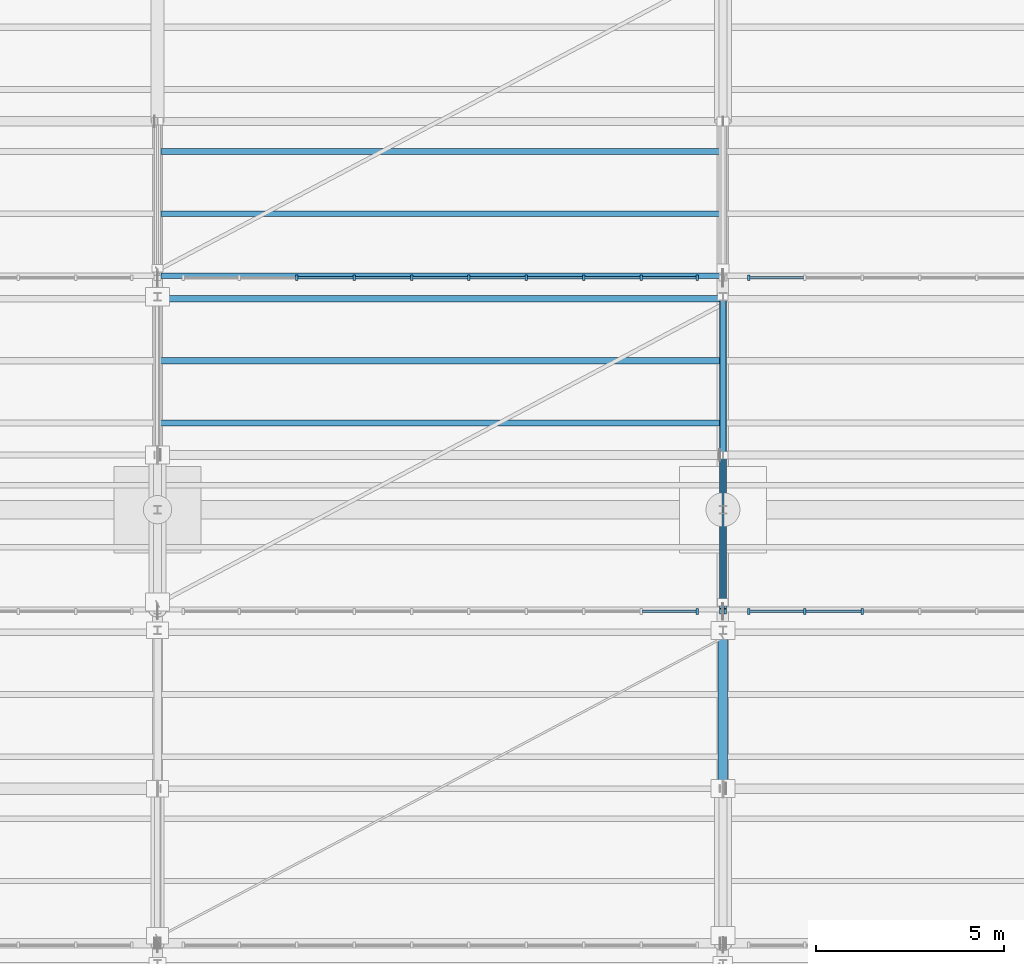
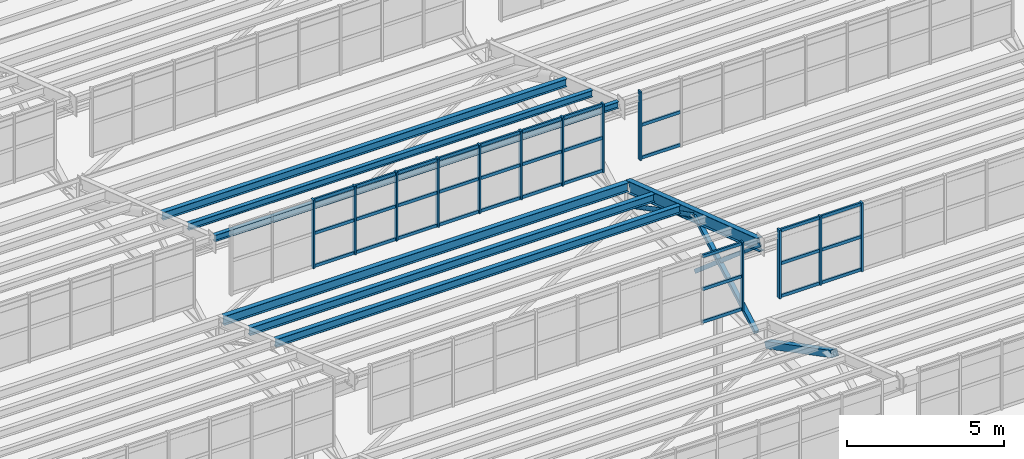
# One storey, part 60 of 285: 49 members, 7 beams, 4 elements without a shape of their own.
"""IFC4 building model written with IfcOpenShell, lengths in metres."""

from ifc_helpers import new_model, si_unit, direction, frame, origin, origin_2d, place, context, subcontext, project, spatial, rectangle, hollow_rectangle, hollow_circle, i_section, extrude, material, material_profile, profile_set, type_object, element, aggregate, save


model = new_model("IFC4")

# Units and contexts
model_context = context("Model", 3, precision=1e-05, world=origin(), true_north=direction((0.0, 1.0)))
body_context = subcontext(model_context, "Body", "Model", "MODEL_VIEW")
ifc_project = project(units=[si_unit("LENGTHUNIT", "METRE"), si_unit("AREAUNIT", "SQUARE_METRE"), si_unit("VOLUMEUNIT", "CUBIC_METRE"), si_unit("PLANEANGLEUNIT", "RADIAN"), si_unit("MASSUNIT", "GRAM", prefix="KILO")], contexts=[model_context])

# Site, building, storey
site_placement = place(None, origin())
site = spatial("IfcSite", under=ifc_project, at=site_placement, CompositionType="ELEMENT")
building_placement = place(site_placement, origin())
building = spatial("IfcBuilding", under=site, at=building_placement, Name="Solanera Park Tramway Depot", CompositionType="ELEMENT")
storey_placement = place(building_placement, origin())
storey = spatial("IfcBuildingStorey", under=building, at=storey_placement, Name="L00", CompositionType="ELEMENT", Elevation=0.0)

# Curtain wall, member
ifc_material_1 = material(Name="Bronze-anodised thermally broken aluminium curtain wall", Category="aluminium")
curtain_wall_type = type_object("IfcCurtainWallType", Name="Sawtooth Clerestory Monitor Curtain Wall", PredefinedType="NOTDEFINED", material=ifc_material_1)
curtain_wall_1_placement = place(storey_placement, origin())
curtain_wall_1 = element("IfcCurtainWall", 1, at=curtain_wall_1_placement, inside=storey, type_object=curtain_wall_type, Name="L00 Sawtooth Clerestory Monitor Curtain Wall #022", PredefinedType="NOTDEFINED")
ifc_material_2 = material(Name="Bronze-anodised structural aluminium 6063-T6", Category="aluminium")
ifc_material_profile_1 = material_profile(ifc_material_2, rectangle(XDim=0.06494140625, YDim=0.14990234375, at=origin_2d()), Name="Curtain Wall Mullion 65x150")
ifc_profile_set_1 = profile_set([ifc_material_profile_1], Name="Bronze-anodised structural aluminium 6063-T6")
member_type_1 = type_object("IfcMemberType", Name="Curtain Wall Mullion 65x150", PredefinedType="MULLION", material=ifc_profile_set_1)
member_1_placement = place(storey_placement, frame((59.3173828125, 82.300048828125, 7.75), z_axis=(0.0, 0.0, 1.0), x_axis=(1.0, 0.0, 0.0)))
member_1 = element("IfcMember", 2, at=member_1_placement, type_object=member_type_1, Name="CW-L00-022 Mullion 10", PredefinedType="MULLION", context=body_context, shape_type="SweptSolid", body=[
    extrude(rectangle(XDim=0.06494140625, YDim=0.14990234375, at=origin_2d()), origin(), (0.0, 0.0, 1.0), 2.6611328125),
])

# Curtain wall, members
curtain_wall_2_placement = place(storey_placement, origin())
curtain_wall_2 = element("IfcCurtainWall", 3, at=curtain_wall_2_placement, inside=storey, type_object=curtain_wall_type, Name="L00 Sawtooth Clerestory Monitor Curtain Wall #023", PredefinedType="NOTDEFINED")
member_2_placement = place(storey_placement, frame((60.6826171875, 82.300048828125, 7.75), z_axis=(0.0, 0.0, 1.0), x_axis=(1.0, 0.0, 0.0)))
member_2 = element("IfcMember", 4, at=member_2_placement, type_object=member_type_1, Name="CW-L00-023 Mullion 1", PredefinedType="MULLION", context=body_context, shape_type="SweptSolid", body=[
    extrude(rectangle(XDim=0.06494140625, YDim=0.14990234375, at=origin_2d()), origin(), (0.0, 0.0, 1.0), 2.6611328125),
])
member_3_placement = place(storey_placement, frame((62.172119140625, 82.300048828125, 7.75), z_axis=(0.0, 0.0, 1.0), x_axis=(1.0, 0.0, 0.0)))
member_3 = element("IfcMember", 5, at=member_3_placement, type_object=member_type_1, Name="CW-L00-023 Mullion 2", PredefinedType="MULLION", context=body_context, shape_type="SweptSolid", body=[
    extrude(rectangle(XDim=0.06494140625, YDim=0.14990234375, at=origin_2d()), origin(), (0.0, 0.0, 1.0), 2.6611328125),
])
member_4_placement = place(storey_placement, frame((63.6943359375, 82.300048828125, 7.75), z_axis=(0.0, 0.0, 1.0), x_axis=(1.0, 0.0, 0.0)))
member_4 = element("IfcMember", 6, at=member_4_placement, type_object=member_type_1, Name="CW-L00-023 Mullion 3", PredefinedType="MULLION", context=body_context, shape_type="SweptSolid", body=[
    extrude(rectangle(XDim=0.06494140625, YDim=0.14990234375, at=origin_2d()), origin(), (0.0, 0.0, 1.0), 2.6611328125),
])

curtain_wall_3_placement = place(storey_placement, origin())
curtain_wall_3 = element("IfcCurtainWall", 7, at=curtain_wall_3_placement, inside=storey, type_object=curtain_wall_type, Name="L00 Sawtooth Clerestory Monitor Curtain Wall #030", PredefinedType="NOTDEFINED")
member_5_placement = place(storey_placement, frame((48.6943359375, 91.14990234375, 7.75), z_axis=(0.0, 0.0, 1.0), x_axis=(1.0, 0.0, 0.0)))
member_5 = element("IfcMember", 8, at=member_5_placement, type_object=member_type_1, Name="CW-L00-030 Mullion 3", PredefinedType="MULLION", context=body_context, shape_type="SweptSolid", body=[
    extrude(rectangle(XDim=0.06494140625, YDim=0.14990234375, at=origin_2d()), origin(), (0.0, 0.0, 1.0), 2.6611328125),
])
member_6_placement = place(storey_placement, frame((50.216796875, 91.14990234375, 7.75), z_axis=(0.0, 0.0, 1.0), x_axis=(1.0, 0.0, 0.0)))
member_6 = element("IfcMember", 9, at=member_6_placement, type_object=member_type_1, Name="CW-L00-030 Mullion 4", PredefinedType="MULLION", context=body_context, shape_type="SweptSolid", body=[
    extrude(rectangle(XDim=0.06494140625, YDim=0.14990234375, at=origin_2d()), origin(), (0.0, 0.0, 1.0), 2.6611328125),
])
member_7_placement = place(storey_placement, frame((51.739013671875, 91.14990234375, 7.75), z_axis=(0.0, 0.0, 1.0), x_axis=(1.0, 0.0, 0.0)))
member_7 = element("IfcMember", 10, at=member_7_placement, type_object=member_type_1, Name="CW-L00-030 Mullion 5", PredefinedType="MULLION", context=body_context, shape_type="SweptSolid", body=[
    extrude(rectangle(XDim=0.06494140625, YDim=0.14990234375, at=origin_2d()), origin(), (0.0, 0.0, 1.0), 2.6611328125),
])
member_8_placement = place(storey_placement, frame((53.260986328125, 91.14990234375, 7.75), z_axis=(0.0, 0.0, 1.0), x_axis=(1.0, 0.0, 0.0)))
member_8 = element("IfcMember", 11, at=member_8_placement, type_object=member_type_1, Name="CW-L00-030 Mullion 6", PredefinedType="MULLION", context=body_context, shape_type="SweptSolid", body=[
    extrude(rectangle(XDim=0.06494140625, YDim=0.14990234375, at=origin_2d()), origin(), (0.0, 0.0, 1.0), 2.6611328125),
])
member_9_placement = place(storey_placement, frame((54.783203125, 91.14990234375, 7.75), z_axis=(0.0, 0.0, 1.0), x_axis=(1.0, 0.0, 0.0)))
member_9 = element("IfcMember", 12, at=member_9_placement, type_object=member_type_1, Name="CW-L00-030 Mullion 7", PredefinedType="MULLION", context=body_context, shape_type="SweptSolid", body=[
    extrude(rectangle(XDim=0.06494140625, YDim=0.14990234375, at=origin_2d()), origin(), (0.0, 0.0, 1.0), 2.6611328125),
])
member_10_placement = place(storey_placement, frame((56.3056640625, 91.14990234375, 7.75), z_axis=(0.0, 0.0, 1.0), x_axis=(1.0, 0.0, 0.0)))
member_10 = element("IfcMember", 13, at=member_10_placement, type_object=member_type_1, Name="CW-L00-030 Mullion 8", PredefinedType="MULLION", context=body_context, shape_type="SweptSolid", body=[
    extrude(rectangle(XDim=0.06494140625, YDim=0.14990234375, at=origin_2d()), origin(), (0.0, 0.0, 1.0), 2.6611328125),
])
member_11_placement = place(storey_placement, frame((57.827880859375, 91.14990234375, 7.75), z_axis=(0.0, 0.0, 1.0), x_axis=(1.0, 0.0, 0.0)))
member_11 = element("IfcMember", 14, at=member_11_placement, type_object=member_type_1, Name="CW-L00-030 Mullion 9", PredefinedType="MULLION", context=body_context, shape_type="SweptSolid", body=[
    extrude(rectangle(XDim=0.06494140625, YDim=0.14990234375, at=origin_2d()), origin(), (0.0, 0.0, 1.0), 2.6611328125),
])
member_12_placement = place(storey_placement, frame((59.3173828125, 91.14990234375, 7.75), z_axis=(0.0, 0.0, 1.0), x_axis=(1.0, 0.0, 0.0)))
member_12 = element("IfcMember", 15, at=member_12_placement, type_object=member_type_1, Name="CW-L00-030 Mullion 10", PredefinedType="MULLION", context=body_context, shape_type="SweptSolid", body=[
    extrude(rectangle(XDim=0.06494140625, YDim=0.14990234375, at=origin_2d()), origin(), (0.0, 0.0, 1.0), 2.6611328125),
])

# Curtain wall, member
curtain_wall_4_placement = place(storey_placement, origin())
curtain_wall_4 = element("IfcCurtainWall", 16, at=curtain_wall_4_placement, inside=storey, type_object=curtain_wall_type, Name="L00 Sawtooth Clerestory Monitor Curtain Wall #031", PredefinedType="NOTDEFINED")
member_13_placement = place(storey_placement, frame((60.6826171875, 91.14990234375, 7.75), z_axis=(0.0, 0.0, 1.0), x_axis=(1.0, 0.0, 0.0)))
member_13 = element("IfcMember", 17, at=member_13_placement, type_object=member_type_1, Name="CW-L00-031 Mullion 1", PredefinedType="MULLION", context=body_context, shape_type="SweptSolid", body=[
    extrude(rectangle(XDim=0.06494140625, YDim=0.14990234375, at=origin_2d()), origin(), (0.0, 0.0, 1.0), 2.6611328125),
])

# Member
ifc_material_3 = material(Name="Bronze-anodised structural aluminium 6063-T6", Category="aluminium")
ifc_material_profile_2 = material_profile(ifc_material_3, rectangle(XDim=0.06494140625, YDim=0.1201171875, at=origin_2d()), Name="Curtain Wall Transom 65x120")
ifc_profile_set_2 = profile_set([ifc_material_profile_2], Name="Bronze-anodised structural aluminium 6063-T6")
member_type_2 = type_object("IfcMemberType", Name="Curtain Wall Transom 65x120", PredefinedType="USERDEFINED", material=ifc_profile_set_2)
member_14_placement = place(storey_placement, frame((57.855712890625, 82.300048828125, 7.81005859375), z_axis=(1.0, 0.0, 0.0), x_axis=(0.0, 1.0, 0.0)))
member_14 = element("IfcMember", 18, at=member_14_placement, type_object=member_type_2, Name="CW-L00-022 Transom R1.C9", ObjectType="TRANSOM", PredefinedType="USERDEFINED", context=body_context, shape_type="SweptSolid", body=[
    extrude(rectangle(XDim=0.06494140625, YDim=0.1201171875, at=origin_2d()), origin(), (0.0, 0.0, 1.0), 1.433837890625),
])

member_15_placement = place(storey_placement, frame((57.855712890625, 82.300048828125, 9.08056640625), z_axis=(1.0, 0.0, 0.0), x_axis=(0.0, 1.0, 0.0)))
member_15 = element("IfcMember", 19, at=member_15_placement, type_object=member_type_2, Name="CW-L00-022 Transom R2.C9", ObjectType="TRANSOM", PredefinedType="USERDEFINED", context=body_context, shape_type="SweptSolid", body=[
    extrude(rectangle(XDim=0.06494140625, YDim=0.1201171875, at=origin_2d()), origin(), (0.0, 0.0, 1.0), 1.433837890625),
])

member_16_placement = place(storey_placement, frame((57.855712890625, 82.300048828125, 10.351318359375), z_axis=(1.0, 0.0, 0.0), x_axis=(0.0, 1.0, 0.0)))
member_16 = element("IfcMember", 20, at=member_16_placement, type_object=member_type_2, Name="CW-L00-022 Transom R3.C9", ObjectType="TRANSOM", PredefinedType="USERDEFINED", context=body_context, shape_type="SweptSolid", body=[
    extrude(rectangle(XDim=0.06494140625, YDim=0.1201171875, at=origin_2d()), origin(), (0.0, 0.0, 1.0), 1.433837890625),
])

aggregate(curtain_wall_1, [member_1, member_14, member_15, member_16])

member_17_placement = place(storey_placement, frame((60.71044921875, 82.300048828125, 7.81005859375), z_axis=(1.0, 0.0, 0.0), x_axis=(0.0, 1.0, 0.0)))
member_17 = element("IfcMember", 21, at=member_17_placement, type_object=member_type_2, Name="CW-L00-023 Transom R1.C1", ObjectType="TRANSOM", PredefinedType="USERDEFINED", context=body_context, shape_type="SweptSolid", body=[
    extrude(rectangle(XDim=0.06494140625, YDim=0.1201171875, at=origin_2d()), origin(), (0.0, 0.0, 1.0), 1.433837890625),
])

member_18_placement = place(storey_placement, frame((62.2001953125, 82.300048828125, 7.81005859375), z_axis=(1.0, 0.0, 0.0), x_axis=(0.0, 1.0, 0.0)))
member_18 = element("IfcMember", 22, at=member_18_placement, type_object=member_type_2, Name="CW-L00-023 Transom R1.C2", ObjectType="TRANSOM", PredefinedType="USERDEFINED", context=body_context, shape_type="SweptSolid", body=[
    extrude(rectangle(XDim=0.06494140625, YDim=0.1201171875, at=origin_2d()), origin(), (0.0, 0.0, 1.0), 1.46630859375),
])

member_19_placement = place(storey_placement, frame((60.71044921875, 82.300048828125, 9.08056640625), z_axis=(1.0, 0.0, 0.0), x_axis=(0.0, 1.0, 0.0)))
member_19 = element("IfcMember", 23, at=member_19_placement, type_object=member_type_2, Name="CW-L00-023 Transom R2.C1", ObjectType="TRANSOM", PredefinedType="USERDEFINED", context=body_context, shape_type="SweptSolid", body=[
    extrude(rectangle(XDim=0.06494140625, YDim=0.1201171875, at=origin_2d()), origin(), (0.0, 0.0, 1.0), 1.433837890625),
])

member_20_placement = place(storey_placement, frame((62.2001953125, 82.300048828125, 9.08056640625), z_axis=(1.0, 0.0, 0.0), x_axis=(0.0, 1.0, 0.0)))
member_20 = element("IfcMember", 24, at=member_20_placement, type_object=member_type_2, Name="CW-L00-023 Transom R2.C2", ObjectType="TRANSOM", PredefinedType="USERDEFINED", context=body_context, shape_type="SweptSolid", body=[
    extrude(rectangle(XDim=0.06494140625, YDim=0.1201171875, at=origin_2d()), origin(), (0.0, 0.0, 1.0), 1.46630859375),
])

member_21_placement = place(storey_placement, frame((60.71044921875, 82.300048828125, 10.351318359375), z_axis=(1.0, 0.0, 0.0), x_axis=(0.0, 1.0, 0.0)))
member_21 = element("IfcMember", 25, at=member_21_placement, type_object=member_type_2, Name="CW-L00-023 Transom R3.C1", ObjectType="TRANSOM", PredefinedType="USERDEFINED", context=body_context, shape_type="SweptSolid", body=[
    extrude(rectangle(XDim=0.06494140625, YDim=0.1201171875, at=origin_2d()), origin(), (0.0, 0.0, 1.0), 1.433837890625),
])

member_22_placement = place(storey_placement, frame((62.2001953125, 82.300048828125, 10.351318359375), z_axis=(1.0, 0.0, 0.0), x_axis=(0.0, 1.0, 0.0)))
member_22 = element("IfcMember", 26, at=member_22_placement, type_object=member_type_2, Name="CW-L00-023 Transom R3.C2", ObjectType="TRANSOM", PredefinedType="USERDEFINED", context=body_context, shape_type="SweptSolid", body=[
    extrude(rectangle(XDim=0.06494140625, YDim=0.1201171875, at=origin_2d()), origin(), (0.0, 0.0, 1.0), 1.46630859375),
])

aggregate(curtain_wall_2, [member_2, member_3, member_4, member_17, member_18, member_19, member_20, member_21, member_22])

member_23_placement = place(storey_placement, frame((48.722412109375, 91.14990234375, 7.81005859375), z_axis=(1.0, 0.0, 0.0), x_axis=(0.0, 1.0, 0.0)))
member_23 = element("IfcMember", 27, at=member_23_placement, type_object=member_type_2, Name="CW-L00-030 Transom R1.C3", ObjectType="TRANSOM", PredefinedType="USERDEFINED", context=body_context, shape_type="SweptSolid", body=[
    extrude(rectangle(XDim=0.06494140625, YDim=0.1201171875, at=origin_2d()), origin(), (0.0, 0.0, 1.0), 1.46630859375),
])

member_24_placement = place(storey_placement, frame((50.24462890625, 91.14990234375, 7.81005859375), z_axis=(1.0, 0.0, 0.0), x_axis=(0.0, 1.0, 0.0)))
member_24 = element("IfcMember", 28, at=member_24_placement, type_object=member_type_2, Name="CW-L00-030 Transom R1.C4", ObjectType="TRANSOM", PredefinedType="USERDEFINED", context=body_context, shape_type="SweptSolid", body=[
    extrude(rectangle(XDim=0.06494140625, YDim=0.1201171875, at=origin_2d()), origin(), (0.0, 0.0, 1.0), 1.46630859375),
])

member_25_placement = place(storey_placement, frame((51.766845703125, 91.14990234375, 7.81005859375), z_axis=(1.0, 0.0, 0.0), x_axis=(0.0, 1.0, 0.0)))
member_25 = element("IfcMember", 29, at=member_25_placement, type_object=member_type_2, Name="CW-L00-030 Transom R1.C5", ObjectType="TRANSOM", PredefinedType="USERDEFINED", context=body_context, shape_type="SweptSolid", body=[
    extrude(rectangle(XDim=0.06494140625, YDim=0.1201171875, at=origin_2d()), origin(), (0.0, 0.0, 1.0), 1.46630859375),
])

member_26_placement = place(storey_placement, frame((53.2890625, 91.14990234375, 7.81005859375), z_axis=(1.0, 0.0, 0.0), x_axis=(0.0, 1.0, 0.0)))
member_26 = element("IfcMember", 30, at=member_26_placement, type_object=member_type_2, Name="CW-L00-030 Transom R1.C6", ObjectType="TRANSOM", PredefinedType="USERDEFINED", context=body_context, shape_type="SweptSolid", body=[
    extrude(rectangle(XDim=0.06494140625, YDim=0.1201171875, at=origin_2d()), origin(), (0.0, 0.0, 1.0), 1.46630859375),
])

member_27_placement = place(storey_placement, frame((54.811279296875, 91.14990234375, 7.81005859375), z_axis=(1.0, 0.0, 0.0), x_axis=(0.0, 1.0, 0.0)))
member_27 = element("IfcMember", 31, at=member_27_placement, type_object=member_type_2, Name="CW-L00-030 Transom R1.C7", ObjectType="TRANSOM", PredefinedType="USERDEFINED", context=body_context, shape_type="SweptSolid", body=[
    extrude(rectangle(XDim=0.06494140625, YDim=0.1201171875, at=origin_2d()), origin(), (0.0, 0.0, 1.0), 1.46630859375),
])

member_28_placement = place(storey_placement, frame((56.33349609375, 91.14990234375, 7.81005859375), z_axis=(1.0, 0.0, 0.0), x_axis=(0.0, 1.0, 0.0)))
member_28 = element("IfcMember", 32, at=member_28_placement, type_object=member_type_2, Name="CW-L00-030 Transom R1.C8", ObjectType="TRANSOM", PredefinedType="USERDEFINED", context=body_context, shape_type="SweptSolid", body=[
    extrude(rectangle(XDim=0.06494140625, YDim=0.1201171875, at=origin_2d()), origin(), (0.0, 0.0, 1.0), 1.46630859375),
])

member_29_placement = place(storey_placement, frame((57.855712890625, 91.14990234375, 7.81005859375), z_axis=(1.0, 0.0, 0.0), x_axis=(0.0, 1.0, 0.0)))
member_29 = element("IfcMember", 33, at=member_29_placement, type_object=member_type_2, Name="CW-L00-030 Transom R1.C9", ObjectType="TRANSOM", PredefinedType="USERDEFINED", context=body_context, shape_type="SweptSolid", body=[
    extrude(rectangle(XDim=0.06494140625, YDim=0.1201171875, at=origin_2d()), origin(), (0.0, 0.0, 1.0), 1.433837890625),
])

member_30_placement = place(storey_placement, frame((48.722412109375, 91.14990234375, 9.08056640625), z_axis=(1.0, 0.0, 0.0), x_axis=(0.0, 1.0, 0.0)))
member_30 = element("IfcMember", 34, at=member_30_placement, type_object=member_type_2, Name="CW-L00-030 Transom R2.C3", ObjectType="TRANSOM", PredefinedType="USERDEFINED", context=body_context, shape_type="SweptSolid", body=[
    extrude(rectangle(XDim=0.06494140625, YDim=0.1201171875, at=origin_2d()), origin(), (0.0, 0.0, 1.0), 1.46630859375),
])

member_31_placement = place(storey_placement, frame((50.24462890625, 91.14990234375, 9.08056640625), z_axis=(1.0, 0.0, 0.0), x_axis=(0.0, 1.0, 0.0)))
member_31 = element("IfcMember", 35, at=member_31_placement, type_object=member_type_2, Name="CW-L00-030 Transom R2.C4", ObjectType="TRANSOM", PredefinedType="USERDEFINED", context=body_context, shape_type="SweptSolid", body=[
    extrude(rectangle(XDim=0.06494140625, YDim=0.1201171875, at=origin_2d()), origin(), (0.0, 0.0, 1.0), 1.46630859375),
])

member_32_placement = place(storey_placement, frame((51.766845703125, 91.14990234375, 9.08056640625), z_axis=(1.0, 0.0, 0.0), x_axis=(0.0, 1.0, 0.0)))
member_32 = element("IfcMember", 36, at=member_32_placement, type_object=member_type_2, Name="CW-L00-030 Transom R2.C5", ObjectType="TRANSOM", PredefinedType="USERDEFINED", context=body_context, shape_type="SweptSolid", body=[
    extrude(rectangle(XDim=0.06494140625, YDim=0.1201171875, at=origin_2d()), origin(), (0.0, 0.0, 1.0), 1.46630859375),
])

member_33_placement = place(storey_placement, frame((53.2890625, 91.14990234375, 9.08056640625), z_axis=(1.0, 0.0, 0.0), x_axis=(0.0, 1.0, 0.0)))
member_33 = element("IfcMember", 37, at=member_33_placement, type_object=member_type_2, Name="CW-L00-030 Transom R2.C6", ObjectType="TRANSOM", PredefinedType="USERDEFINED", context=body_context, shape_type="SweptSolid", body=[
    extrude(rectangle(XDim=0.06494140625, YDim=0.1201171875, at=origin_2d()), origin(), (0.0, 0.0, 1.0), 1.46630859375),
])

member_34_placement = place(storey_placement, frame((54.811279296875, 91.14990234375, 9.08056640625), z_axis=(1.0, 0.0, 0.0), x_axis=(0.0, 1.0, 0.0)))
member_34 = element("IfcMember", 38, at=member_34_placement, type_object=member_type_2, Name="CW-L00-030 Transom R2.C7", ObjectType="TRANSOM", PredefinedType="USERDEFINED", context=body_context, shape_type="SweptSolid", body=[
    extrude(rectangle(XDim=0.06494140625, YDim=0.1201171875, at=origin_2d()), origin(), (0.0, 0.0, 1.0), 1.46630859375),
])

member_35_placement = place(storey_placement, frame((56.33349609375, 91.14990234375, 9.08056640625), z_axis=(1.0, 0.0, 0.0), x_axis=(0.0, 1.0, 0.0)))
member_35 = element("IfcMember", 39, at=member_35_placement, type_object=member_type_2, Name="CW-L00-030 Transom R2.C8", ObjectType="TRANSOM", PredefinedType="USERDEFINED", context=body_context, shape_type="SweptSolid", body=[
    extrude(rectangle(XDim=0.06494140625, YDim=0.1201171875, at=origin_2d()), origin(), (0.0, 0.0, 1.0), 1.46630859375),
])

member_36_placement = place(storey_placement, frame((57.855712890625, 91.14990234375, 9.08056640625), z_axis=(1.0, 0.0, 0.0), x_axis=(0.0, 1.0, 0.0)))
member_36 = element("IfcMember", 40, at=member_36_placement, type_object=member_type_2, Name="CW-L00-030 Transom R2.C9", ObjectType="TRANSOM", PredefinedType="USERDEFINED", context=body_context, shape_type="SweptSolid", body=[
    extrude(rectangle(XDim=0.06494140625, YDim=0.1201171875, at=origin_2d()), origin(), (0.0, 0.0, 1.0), 1.433837890625),
])

member_37_placement = place(storey_placement, frame((48.722412109375, 91.14990234375, 10.351318359375), z_axis=(1.0, 0.0, 0.0), x_axis=(0.0, 1.0, 0.0)))
member_37 = element("IfcMember", 41, at=member_37_placement, type_object=member_type_2, Name="CW-L00-030 Transom R3.C3", ObjectType="TRANSOM", PredefinedType="USERDEFINED", context=body_context, shape_type="SweptSolid", body=[
    extrude(rectangle(XDim=0.06494140625, YDim=0.1201171875, at=origin_2d()), origin(), (0.0, 0.0, 1.0), 1.46630859375),
])

member_38_placement = place(storey_placement, frame((50.24462890625, 91.14990234375, 10.351318359375), z_axis=(1.0, 0.0, 0.0), x_axis=(0.0, 1.0, 0.0)))
member_38 = element("IfcMember", 42, at=member_38_placement, type_object=member_type_2, Name="CW-L00-030 Transom R3.C4", ObjectType="TRANSOM", PredefinedType="USERDEFINED", context=body_context, shape_type="SweptSolid", body=[
    extrude(rectangle(XDim=0.06494140625, YDim=0.1201171875, at=origin_2d()), origin(), (0.0, 0.0, 1.0), 1.46630859375),
])

member_39_placement = place(storey_placement, frame((51.766845703125, 91.14990234375, 10.351318359375), z_axis=(1.0, 0.0, 0.0), x_axis=(0.0, 1.0, 0.0)))
member_39 = element("IfcMember", 43, at=member_39_placement, type_object=member_type_2, Name="CW-L00-030 Transom R3.C5", ObjectType="TRANSOM", PredefinedType="USERDEFINED", context=body_context, shape_type="SweptSolid", body=[
    extrude(rectangle(XDim=0.06494140625, YDim=0.1201171875, at=origin_2d()), origin(), (0.0, 0.0, 1.0), 1.46630859375),
])

member_40_placement = place(storey_placement, frame((53.2890625, 91.14990234375, 10.351318359375), z_axis=(1.0, 0.0, 0.0), x_axis=(0.0, 1.0, 0.0)))
member_40 = element("IfcMember", 44, at=member_40_placement, type_object=member_type_2, Name="CW-L00-030 Transom R3.C6", ObjectType="TRANSOM", PredefinedType="USERDEFINED", context=body_context, shape_type="SweptSolid", body=[
    extrude(rectangle(XDim=0.06494140625, YDim=0.1201171875, at=origin_2d()), origin(), (0.0, 0.0, 1.0), 1.46630859375),
])

member_41_placement = place(storey_placement, frame((54.811279296875, 91.14990234375, 10.351318359375), z_axis=(1.0, 0.0, 0.0), x_axis=(0.0, 1.0, 0.0)))
member_41 = element("IfcMember", 45, at=member_41_placement, type_object=member_type_2, Name="CW-L00-030 Transom R3.C7", ObjectType="TRANSOM", PredefinedType="USERDEFINED", context=body_context, shape_type="SweptSolid", body=[
    extrude(rectangle(XDim=0.06494140625, YDim=0.1201171875, at=origin_2d()), origin(), (0.0, 0.0, 1.0), 1.46630859375),
])

member_42_placement = place(storey_placement, frame((56.33349609375, 91.14990234375, 10.351318359375), z_axis=(1.0, 0.0, 0.0), x_axis=(0.0, 1.0, 0.0)))
member_42 = element("IfcMember", 46, at=member_42_placement, type_object=member_type_2, Name="CW-L00-030 Transom R3.C8", ObjectType="TRANSOM", PredefinedType="USERDEFINED", context=body_context, shape_type="SweptSolid", body=[
    extrude(rectangle(XDim=0.06494140625, YDim=0.1201171875, at=origin_2d()), origin(), (0.0, 0.0, 1.0), 1.46630859375),
])

member_43_placement = place(storey_placement, frame((57.855712890625, 91.14990234375, 10.351318359375), z_axis=(1.0, 0.0, 0.0), x_axis=(0.0, 1.0, 0.0)))
member_43 = element("IfcMember", 47, at=member_43_placement, type_object=member_type_2, Name="CW-L00-030 Transom R3.C9", ObjectType="TRANSOM", PredefinedType="USERDEFINED", context=body_context, shape_type="SweptSolid", body=[
    extrude(rectangle(XDim=0.06494140625, YDim=0.1201171875, at=origin_2d()), origin(), (0.0, 0.0, 1.0), 1.433837890625),
])

aggregate(curtain_wall_3, [member_5, member_6, member_7, member_8, member_9, member_10, member_11, member_12, member_23, member_24, member_25, member_26, member_27, member_28, member_29, member_30, member_31, member_32, member_33, member_34, member_35, member_36, member_37, member_38, member_39, member_40, member_41, member_42, member_43])

member_44_placement = place(storey_placement, frame((60.71044921875, 91.14990234375, 7.81005859375), z_axis=(1.0, 0.0, 0.0), x_axis=(0.0, 1.0, 0.0)))
member_44 = element("IfcMember", 48, at=member_44_placement, type_object=member_type_2, Name="CW-L00-031 Transom R1.C1", ObjectType="TRANSOM", PredefinedType="USERDEFINED", context=body_context, shape_type="SweptSolid", body=[
    extrude(rectangle(XDim=0.06494140625, YDim=0.1201171875, at=origin_2d()), origin(), (0.0, 0.0, 1.0), 1.433837890625),
])

member_45_placement = place(storey_placement, frame((60.71044921875, 91.14990234375, 9.08056640625), z_axis=(1.0, 0.0, 0.0), x_axis=(0.0, 1.0, 0.0)))
member_45 = element("IfcMember", 49, at=member_45_placement, type_object=member_type_2, Name="CW-L00-031 Transom R2.C1", ObjectType="TRANSOM", PredefinedType="USERDEFINED", context=body_context, shape_type="SweptSolid", body=[
    extrude(rectangle(XDim=0.06494140625, YDim=0.1201171875, at=origin_2d()), origin(), (0.0, 0.0, 1.0), 1.433837890625),
])

aggregate(curtain_wall_4, [member_13, member_44, member_45])

ifc_material_4 = material(Name="Steel AS/NZS 1163 Grade C350L0", Category="steel")
ifc_material_profile_3 = material_profile(ifc_material_4, hollow_rectangle(XDim=0.14990234375, YDim=0.14990234375, WallThickness=0.006103515625, at=origin_2d()), Name="150x150x6.0 SHS")
ifc_profile_set_3 = profile_set([ifc_material_profile_3], Name="Steel AS/NZS 1163 Grade C350L0")
member_type_3 = type_object("IfcMemberType", Name="Roof Gantry Compression Strut 150x150x6.0 SHS", PredefinedType="STRUT", material=ifc_profile_set_3)
member_46_placement = place(storey_placement, frame((60.0, 82.550048828125, 6.5), z_axis=(0.0, 0.874074669389, 0.485791593517), x_axis=(-1.0, 0.0, 0.0)))
element("IfcMember", 50, at=member_46_placement, inside=storey, type_object=member_type_3, Name="Sawtooth ROOF TRUSS Strut 150x150x6.0 SHS #0146", PredefinedType="STRUT", context=body_context, shape_type="SweptSolid", body=[
    extrude(hollow_rectangle(XDim=0.14990234375, YDim=0.14990234375, WallThickness=0.006103515625, at=origin_2d()), origin(), (0.0, 0.0, 1.0), 4.461669921875),
])

# Beams
ifc_material_5 = material(Name="Steel AS/NZS 3679.1 Grade 350", Category="steel")
ifc_material_profile_4 = material_profile(ifc_material_5, i_section(OverallWidth=0.1904296875, OverallDepth=0.45751953125, WebThickness=0.009033203125, FlangeThickness=0.014404296875, at=origin_2d()), Name="460UB74.6")
ifc_profile_set_4 = profile_set([ifc_material_profile_4], Name="Steel AS/NZS 3679.1 Grade 350")
beam_type_1 = type_object("IfcBeamType", Name="Steel Beam 460UB74.6", PredefinedType="BEAM", material=ifc_profile_set_4)
beam_1_placement = place(storey_placement, frame((60.0, 82.300048828125, 10.05615234375), z_axis=(0.0, 0.948319437663, -0.317317261034), x_axis=(-1.0, 0.0, 0.0)))
element("IfcBeam", 51, at=beam_1_placement, inside=storey, type_object=beam_type_1, Name="Sawtooth ROOF TRUSS Top Rafter 460UB74.6 B04-T5", PredefinedType="BEAM", context=body_context, shape_type="SweptSolid", body=[
    extrude(i_section(OverallWidth=0.1904296875, OverallDepth=0.45751953125, WebThickness=0.009033203125, FlangeThickness=0.014404296875, at=origin_2d()), origin(), (0.0, 0.0, 1.0), 8.804931640625),
])
ifc_material_6 = material(Name="Steel AS/NZS 3679.1 Grade 350", Category="steel")
ifc_material_profile_5 = material_profile(ifc_material_6, i_section(OverallWidth=0.14599609375, OverallDepth=0.251708984375, WebThickness=0.006103515625, FlangeThickness=0.008544921875, at=origin_2d()), Name="250UB31.4")
ifc_profile_set_5 = profile_set([ifc_material_profile_5], Name="Steel AS/NZS 3679.1 Grade 350")
beam_type_2 = type_object("IfcBeamType", Name="Steel Joist Purlin 250UB31.4", PredefinedType="JOIST", material=ifc_profile_set_5)
beam_2_placement = place(storey_placement, frame((45.087158203125, 91.199951171875, 10.139892578125), z_axis=(1.0, 0.0, 0.0), x_axis=(0.0, 1.0, 0.0)))
element("IfcBeam", 52, at=beam_2_placement, inside=storey, type_object=beam_type_2, Name="Sawtooth Roof Purlin 250UB31.4 B05.1", PredefinedType="JOIST", context=body_context, shape_type="SweptSolid", body=[
    extrude(i_section(OverallWidth=0.14599609375, OverallDepth=0.251708984375, WebThickness=0.006103515625, FlangeThickness=0.008544921875, at=origin_2d()), origin(), (0.0, 0.0, 1.0), 14.816162109375),
])
ifc_material_7 = material(Name="Steel AS/NZS 3679.1 Grade 350", Category="steel")
ifc_material_profile_6 = material_profile(ifc_material_7, i_section(OverallWidth=0.146484375, OverallDepth=0.256103515625, WebThickness=0.00634765625, FlangeThickness=0.010986328125, at=origin_2d()), Name="250UB37.3")
ifc_profile_set_6 = profile_set([ifc_material_profile_6], Name="Steel AS/NZS 3679.1 Grade 350")
beam_type_3 = type_object("IfcBeamType", Name="Steel Joist Purlin 250UB37.3", PredefinedType="JOIST", material=ifc_profile_set_6)
beam_3_placement = place(storey_placement, frame((45.087158203125, 92.85009765625, 9.58544921875), z_axis=(1.0, 0.0, 0.0), x_axis=(0.0, 1.0, 0.0)))
element("IfcBeam", 53, at=beam_3_placement, inside=storey, type_object=beam_type_3, Name="Sawtooth Roof Purlin 250UB37.3 B05.2", PredefinedType="JOIST", context=body_context, shape_type="SweptSolid", body=[
    extrude(i_section(OverallWidth=0.146484375, OverallDepth=0.256103515625, WebThickness=0.00634765625, FlangeThickness=0.010986328125, at=origin_2d()), origin(), (0.0, 0.0, 1.0), 14.816162109375),
])
ifc_material_8 = material(Name="Steel AS/NZS 3679.1 Grade 350", Category="steel")
ifc_material_profile_7 = material_profile(ifc_material_8, i_section(OverallWidth=0.1650390625, OverallDepth=0.3037109375, WebThickness=0.006103515625, FlangeThickness=0.01025390625, at=origin_2d()), Name="310UB40.4")
ifc_profile_set_7 = profile_set([ifc_material_profile_7], Name="Steel AS/NZS 3679.1 Grade 350")
beam_type_4 = type_object("IfcBeamType", Name="Steel Joist Purlin 310UB40.4", PredefinedType="JOIST", material=ifc_profile_set_7)
beam_4_placement = place(storey_placement, frame((45.080810546875, 87.300048828125, 8.454345703125), z_axis=(1.0, 0.0, 0.0), x_axis=(0.0, 1.0, 0.0)))
element("IfcBeam", 54, at=beam_4_placement, inside=storey, type_object=beam_type_4, Name="Sawtooth Roof Purlin 310UB40.4 B04.4", PredefinedType="JOIST", context=body_context, shape_type="SweptSolid", body=[
    extrude(i_section(OverallWidth=0.1650390625, OverallDepth=0.3037109375, WebThickness=0.006103515625, FlangeThickness=0.01025390625, at=origin_2d()), origin(), (0.0, 0.0, 1.0), 14.83203125),
])
beam_5_placement = place(storey_placement, frame((45.087158203125, 94.5, 9.00634765625), z_axis=(1.0, 0.0, 0.0), x_axis=(0.0, 1.0, 0.0)))
element("IfcBeam", 55, at=beam_5_placement, inside=storey, type_object=beam_type_4, Name="Sawtooth Roof Purlin 310UB40.4 B05.3", PredefinedType="JOIST", context=body_context, shape_type="SweptSolid", body=[
    extrude(i_section(OverallWidth=0.1650390625, OverallDepth=0.3037109375, WebThickness=0.006103515625, FlangeThickness=0.01025390625, at=origin_2d()), origin(), (0.0, 0.0, 1.0), 14.816162109375),
])
ifc_material_9 = material(Name="Steel AS/NZS 3679.1 Grade 350", Category="steel")
ifc_material_profile_8 = material_profile(ifc_material_9, i_section(OverallWidth=0.166015625, OverallDepth=0.30712890625, WebThickness=0.006591796875, FlangeThickness=0.01171875, at=origin_2d()), Name="310UB46.2")
ifc_profile_set_8 = profile_set([ifc_material_profile_8], Name="Steel AS/NZS 3679.1 Grade 350")
beam_type_5 = type_object("IfcBeamType", Name="Steel Joist Purlin 310UB46.2", PredefinedType="JOIST", material=ifc_profile_set_8)
beam_6_placement = place(storey_placement, frame((45.080810546875, 88.949951171875, 7.900390625), z_axis=(1.0, 0.0, 0.0), x_axis=(0.0, 1.0, 0.0)))
element("IfcBeam", 56, at=beam_6_placement, inside=storey, type_object=beam_type_5, Name="Sawtooth Roof Purlin 310UB46.2 B04.5", PredefinedType="JOIST", context=body_context, shape_type="SweptSolid", body=[
    extrude(i_section(OverallWidth=0.166015625, OverallDepth=0.30712890625, WebThickness=0.006591796875, FlangeThickness=0.01171875, at=origin_2d()), origin(), (0.0, 0.0, 1.0), 14.83203125),
])
ifc_material_10 = material(Name="Steel AS/NZS 3679.1 Grade 350", Category="steel")
ifc_material_profile_9 = material_profile(ifc_material_10, i_section(OverallWidth=0.17138671875, OverallDepth=0.355712890625, WebThickness=0.00732421875, FlangeThickness=0.011474609375, at=origin_2d()), Name="360UB50.7")
ifc_profile_set_9 = profile_set([ifc_material_profile_9], Name="Steel AS/NZS 3679.1 Grade 350")
beam_type_6 = type_object("IfcBeamType", Name="Steel Joist Purlin 360UB50.7", PredefinedType="JOIST", material=ifc_profile_set_9)
beam_7_placement = place(storey_placement, frame((45.080810546875, 90.60009765625, 7.3232421875), z_axis=(1.0, 0.0, 0.0), x_axis=(0.0, 1.0, 0.0)))
element("IfcBeam", 57, at=beam_7_placement, inside=storey, type_object=beam_type_6, Name="Sawtooth Roof Purlin 360UB50.7 B04.6", PredefinedType="JOIST", context=body_context, shape_type="SweptSolid", body=[
    extrude(i_section(OverallWidth=0.17138671875, OverallDepth=0.355712890625, WebThickness=0.00732421875, FlangeThickness=0.011474609375, at=origin_2d()), origin(), (0.0, 0.0, 1.0), 14.83203125),
])

# Members
ifc_material_11 = material(Name="Steel AS/NZS 1163 Grade C350L0", Category="steel")
ifc_material_profile_10 = material_profile(ifc_material_11, hollow_rectangle(XDim=0.050048828125, YDim=0.14990234375, WallThickness=0.0048828125, at=origin_2d()), Name="150x50x5.0 RHS")
ifc_profile_set_10 = profile_set([ifc_material_profile_10], Name="Steel AS/NZS 1163 Grade C350L0")
member_type_4 = type_object("IfcMemberType", Name="Truss and Frame Brace 150x50x5.0 RHS", PredefinedType="BRACE", material=ifc_profile_set_10)
member_47_placement = place(storey_placement, frame((60.0, 86.449951171875, 6.5), z_axis=(0.0, -0.759338583023, 0.650695717162), x_axis=(1.0, 0.0, 0.0)))
element("IfcMember", 58, at=member_47_placement, inside=storey, type_object=member_type_4, Name="Sawtooth ROOF TRUSS Web Brace 150x50x5.0 RHS #0144", PredefinedType="BRACE", context=body_context, shape_type="SweptSolid", body=[
    extrude(hollow_rectangle(XDim=0.050048828125, YDim=0.14990234375, WallThickness=0.0048828125, at=origin_2d()), origin(), (0.0, 0.0, 1.0), 5.465087890625),
])
ifc_material_12 = material(Name="Steel AS/NZS 1163 Grade C350L0", Category="steel")
ifc_material_profile_11 = material_profile(ifc_material_12, hollow_circle(Radius=0.084228515625, WallThickness=0.00634765625, at=origin_2d()), Name="168.3x6.4 CHS")
ifc_profile_set_11 = profile_set([ifc_material_profile_11], Name="Steel AS/NZS 1163 Grade C350L0")
member_type_5 = type_object("IfcMemberType", Name="Truss and Frame Brace 168.3x6.4 CHS", PredefinedType="BRACE", material=ifc_profile_set_11)
member_48_placement = place(storey_placement, frame((60.0, 90.64990234375, 6.5), z_axis=(0.0, -0.888641030015, 0.458603445008), x_axis=(1.0, 0.0, 0.0)))
element("IfcMember", 59, at=member_48_placement, inside=storey, type_object=member_type_5, Name="Sawtooth ROOF TRUSS Diagonal 168.3x6.4 CHS #0145", PredefinedType="BRACE", context=body_context, shape_type="SweptSolid", body=[
    extrude(hollow_circle(Radius=0.084228515625, WallThickness=0.00634765625, at=origin_2d()), origin(), (0.0, 0.0, 1.0), 4.726318359375),
])
ifc_material_13 = material(Name="Steel AS/NZS 1163 Grade C350L0", Category="steel")
ifc_material_profile_12 = material_profile(ifc_material_13, hollow_rectangle(XDim=0.25, YDim=0.25, WallThickness=0.010009765625, at=origin_2d()), Name="250x250x10.0 SHS")
ifc_profile_set_12 = profile_set([ifc_material_profile_12], Name="Steel AS/NZS 1163 Grade C350L0")
member_type_6 = type_object("IfcMemberType", Name="Truss and Frame Brace 250x250x10.0 SHS", PredefinedType="BRACE", material=ifc_profile_set_12)
member_49_placement = place(storey_placement, frame((60.0, 81.800048828125, 6.5), z_axis=(0.0, -0.886425847493, 0.462870626521), x_axis=(1.0, 0.0, 0.0)))
element("IfcMember", 60, at=member_49_placement, inside=storey, type_object=member_type_6, Name="Sawtooth ROOF TRUSS Diagonal 250x250x10.0 SHS #0098", PredefinedType="BRACE", context=body_context, shape_type="SweptSolid", body=[
    extrude(hollow_rectangle(XDim=0.25, YDim=0.25, WallThickness=0.010009765625, at=origin_2d()), origin(), (0.0, 0.0, 1.0), 4.738037109375),
])

save(model, "model.ifc")
